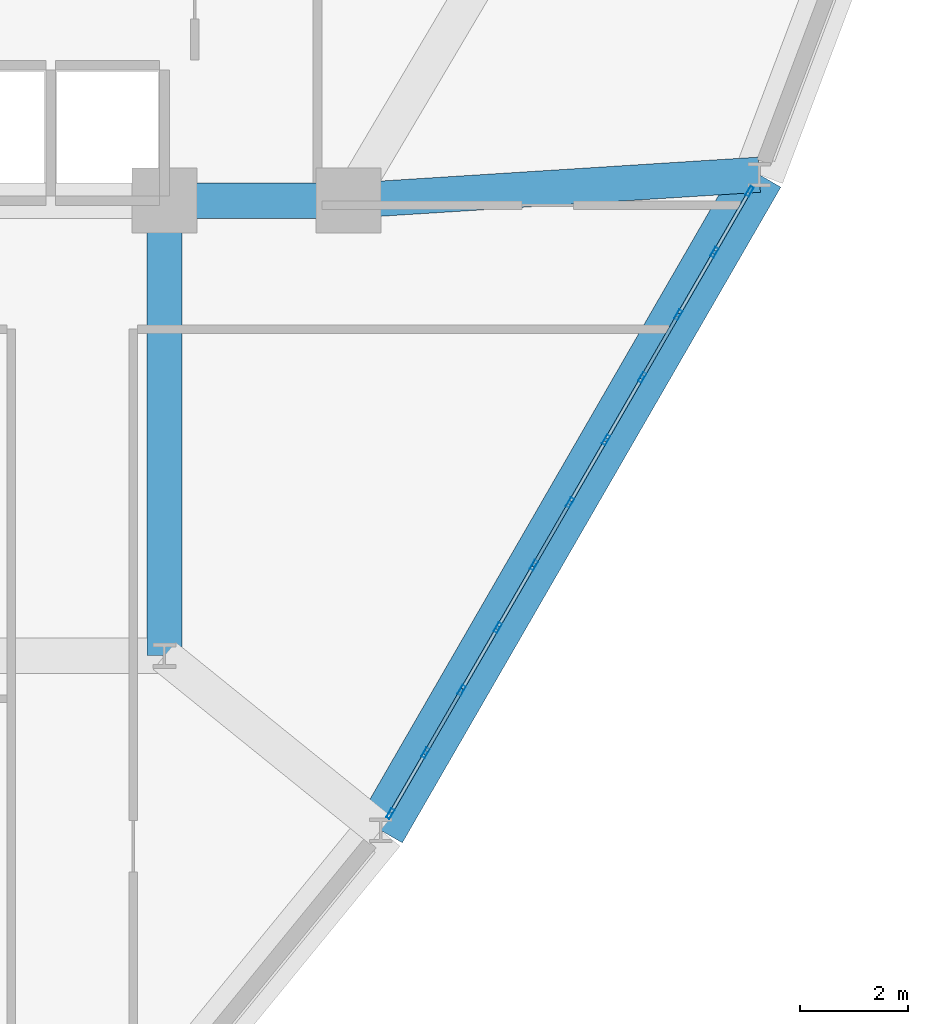
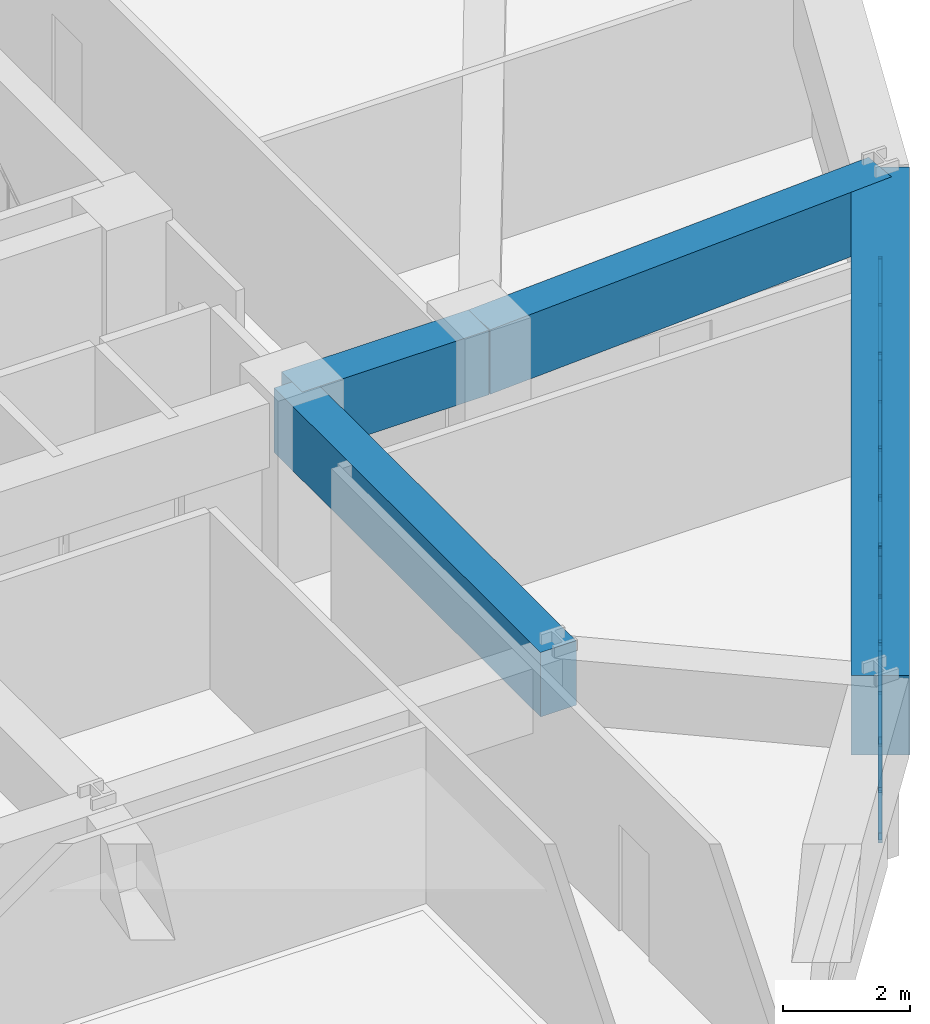
# One storey, part 6 of 15: 34 members, 4 beams, 1 element without a shape of its own.
"""IFC4 building model written with IfcOpenShell, lengths in metres."""

from ifc_helpers import new_model, si_unit, derived_unit, direction, frame, origin, origin_2d, place, context, subcontext, project, spatial, rectangle, hollow_rectangle, extrude, source, transform, mapped, material, layer, layer_set, material_profile, profile_set, type_object, element, aggregate, save


model = new_model("IFC4")

# Units and contexts
model_context = context("Model", 3, precision=1e-05, world=origin(), true_north=direction((0.0, 1.0)))
body_context = subcontext(model_context, "Body", "Model", "MODEL_VIEW")
ifc_project = project(units=[si_unit("LENGTHUNIT", "METRE"), si_unit("AREAUNIT", "SQUARE_METRE"), si_unit("VOLUMEUNIT", "CUBIC_METRE"), si_unit("PLANEANGLEUNIT", "RADIAN"), si_unit("MASSUNIT", "GRAM", prefix="KILO"), derived_unit("THERMALTRANSMITTANCEUNIT", [(si_unit("POWERUNIT", "WATT"), 1), (si_unit("LENGTHUNIT", "METRE"), -2), (si_unit("THERMODYNAMICTEMPERATUREUNIT", "KELVIN"), -1)])], contexts=[model_context])

# Site, building, storey
site_placement = place(None, origin())
site = spatial("IfcSite", under=ifc_project, at=site_placement, CompositionType="ELEMENT")
building_placement = place(site_placement, origin())
building = spatial("IfcBuilding", under=site, at=building_placement, Name="Korsvarv Bourse and Concert Hall", CompositionType="ELEMENT")
storey_placement = place(building_placement, frame((0.0, 0.0, 113.39990234375)))
storey = spatial("IfcBuildingStorey", under=building, at=storey_placement, Name="L28", CompositionType="ELEMENT", Elevation=113.39990234375)

# Beams
ifc_material_1 = material(Name="Concrete C50/60", Category="concrete")
ifc_material_profile_1 = material_profile(ifc_material_1, rectangle(XDim=0.64990234375, YDim=1.239990234375, at=origin_2d()), Name="RC-BM 650x1240")
ifc_profile_set_1 = profile_set([ifc_material_profile_1], Name="Concrete C50/60")
beam_type_1 = type_object("IfcBeamType", Name="BM-TR-SPN", PredefinedType="BEAM", material=ifc_profile_set_1)
shared_shape_1 = source(origin(), body_context, "Body", "SweptSolid", [
    extrude(rectangle(XDim=0.64990234375, YDim=1.239990234375, at=origin_2d()), origin(), (0.0, 0.0, 1.0), 3.400146484375),
])
beam_1_placement = place(storey_placement, frame((44.39990234375, 32.39990234375, 2.780029296875), z_axis=(1.0, 0.0, 0.0), x_axis=(0.0, 1.0, 0.0)))
element("IfcBeam", 1, at=beam_1_placement, inside=storey, type_object=beam_type_1, Name="L28 beam B-TRS", PredefinedType="BEAM", context=body_context, shape_type="MappedRepresentation", body=[
    mapped(shared_shape_1, transform((0.0, 0.0, 0.0), scale=1.0)),
])
shared_shape_2 = source(origin(), body_context, "Body", "SweptSolid", [
    extrude(rectangle(XDim=0.64990234375, YDim=1.239990234375, at=origin_2d()), origin(), (0.0, 0.0, 1.0), 8.39990234375),
])
beam_2_placement = place(storey_placement, frame((44.39990234375, 24.0, 2.780029296875), z_axis=(0.0, 1.0, 0.0), x_axis=(-1.0, 0.0, 0.0)))
element("IfcBeam", 2, at=beam_2_placement, inside=storey, type_object=beam_type_1, Name="L28 beam B-TRS", PredefinedType="BEAM", context=body_context, shape_type="MappedRepresentation", body=[
    mapped(shared_shape_2, transform((0.0, 0.0, 0.0), scale=1.0)),
])
ifc_material_profile_2 = material_profile(ifc_material_1, rectangle(XDim=0.919921875, YDim=1.530029296875, at=origin_2d()), Name="RC-BM 920x1530")
ifc_profile_set_2 = profile_set([ifc_material_profile_2], Name="Concrete C50/60")
beam_type_2 = type_object("IfcBeamType", Name="BM-TR-154", PredefinedType="BEAM", material=ifc_profile_set_2)
shared_shape_3 = source(origin(), body_context, "Body", "SweptSolid", [
    extrude(rectangle(XDim=0.919921875, YDim=1.530029296875, at=origin_2d()), origin(), (0.0, 0.0, 1.0), 13.97607421875),
])
beam_3_placement = place(storey_placement, frame((48.392822265625, 20.77587890625, 2.635009765625), z_axis=(0.500003708422, 0.866023262716, 0.0), x_axis=(-0.866023262716, 0.500003708422, 0.0)))
element("IfcBeam", 3, at=beam_3_placement, inside=storey, type_object=beam_type_2, Name="L28 beam B-TR6", PredefinedType="BEAM", context=body_context, shape_type="MappedRepresentation", body=[
    mapped(shared_shape_3, transform((0.0, 0.0, 0.0), scale=1.0)),
])
shared_shape_4 = source(origin(), body_context, "Body", "SweptSolid", [
    extrude(rectangle(XDim=0.64990234375, YDim=1.239990234375, at=origin_2d()), origin(), (0.0, 0.0, 1.0), 7.595947265625),
])
beam_4_placement = place(storey_placement, frame((55.380859375, 32.87939453125, 2.780029296875), z_axis=(-0.998005651397, -0.063124636867, 0.0), x_axis=(0.063124636867, -0.998005651397, 0.0)))
element("IfcBeam", 4, at=beam_4_placement, inside=storey, type_object=beam_type_1, Name="L28 beam B-TRS", PredefinedType="BEAM", context=body_context, shape_type="MappedRepresentation", body=[
    mapped(shared_shape_4, transform((0.0, 0.0, 0.0), scale=1.0)),
])

# Curtain wall, members
ifc_material_2 = material(Name="Anodised aluminium and triple low-E glazing", Category="glass")
ifc_layer = layer(ifc_material_2, 0.2099609375)
ifc_layer_set = layer_set([ifc_layer], Name="Anodised aluminium and triple low-E glazing")
curtain_wall_type = type_object("IfcCurtainWallType", Name="CW-SYS-2", PredefinedType="NOTDEFINED", material=ifc_layer_set)
curtain_wall_placement = place(storey_placement, origin())
curtain_wall = element("IfcCurtainWall", 5, at=curtain_wall_placement, inside=storey, type_object=curtain_wall_type, Name="L28 CW2 curtain wall CW-L28-F11", PredefinedType="NOTDEFINED")
ifc_material_3 = material(Name="Extruded aluminium EN AW-6063 T66", Category="aluminium")
ifc_material_profile_3 = material_profile(ifc_material_3, hollow_rectangle(XDim=0.070068359375, YDim=0.18994140625, WallThickness=0.0048828125, at=origin_2d()), Name="ALU-M 70x190")
ifc_profile_set_3 = profile_set([ifc_material_profile_3], Name="Extruded aluminium EN AW-6063 T66")
member_type_1 = type_object("IfcMemberType", Name="CWM-190", PredefinedType="MULLION", material=ifc_profile_set_3)
shared_shape_5 = source(origin(), body_context, "Body", "SweptSolid", [
    extrude(hollow_rectangle(XDim=0.070068359375, YDim=0.18994140625, WallThickness=0.0048828125, at=origin_2d()), origin(), (0.0, 0.0, 1.0), 1.8701171875),
])
member_1_placement = place(storey_placement, frame((48.570556640625, 21.083740234375, 0.0), z_axis=(0.0, 0.0, 1.0), x_axis=(-0.866021744853, 0.500006337402, 0.0)))
member_1 = element("IfcMember", 6, at=member_1_placement, type_object=member_type_1, Name="CW2 mullion 1", PredefinedType="MULLION", context=body_context, shape_type="MappedRepresentation", body=[
    mapped(shared_shape_5, transform((0.0, 0.0, 0.0), scale=1.0)),
])
member_2_placement = place(storey_placement, frame((49.2197265625, 22.208251953125, 0.0), z_axis=(0.0, 0.0, 1.0), x_axis=(-0.866021744853, 0.500006337402, 0.0)))
member_2 = element("IfcMember", 7, at=member_2_placement, type_object=member_type_1, Name="CW2 mullion 2", PredefinedType="MULLION", context=body_context, shape_type="MappedRepresentation", body=[
    mapped(shared_shape_5, transform((0.0, 0.0, 0.0), scale=1.0)),
])
member_3_placement = place(storey_placement, frame((49.886474609375, 23.363037109375, 0.0), z_axis=(0.0, 0.0, 1.0), x_axis=(-0.866021744853, 0.500006337402, 0.0)))
member_3 = element("IfcMember", 8, at=member_3_placement, type_object=member_type_1, Name="CW2 mullion 3", PredefinedType="MULLION", context=body_context, shape_type="MappedRepresentation", body=[
    mapped(shared_shape_5, transform((0.0, 0.0, 0.0), scale=1.0)),
])
member_4_placement = place(storey_placement, frame((50.55322265625, 24.51806640625, 0.0), z_axis=(0.0, 0.0, 1.0), x_axis=(-0.866021744853, 0.500006337402, 0.0)))
member_4 = element("IfcMember", 9, at=member_4_placement, type_object=member_type_1, Name="CW2 mullion 4", PredefinedType="MULLION", context=body_context, shape_type="MappedRepresentation", body=[
    mapped(shared_shape_5, transform((0.0, 0.0, 0.0), scale=1.0)),
])
member_5_placement = place(storey_placement, frame((51.219970703125, 25.6728515625, 0.0), z_axis=(0.0, 0.0, 1.0), x_axis=(-0.866021744853, 0.500006337402, 0.0)))
member_5 = element("IfcMember", 10, at=member_5_placement, type_object=member_type_1, Name="CW2 mullion 5", PredefinedType="MULLION", context=body_context, shape_type="MappedRepresentation", body=[
    mapped(shared_shape_5, transform((0.0, 0.0, 0.0), scale=1.0)),
])
member_6_placement = place(storey_placement, frame((51.886962890625, 26.82763671875, 0.0), z_axis=(0.0, 0.0, 1.0), x_axis=(-0.866021744853, 0.500006337402, 0.0)))
member_6 = element("IfcMember", 11, at=member_6_placement, type_object=member_type_1, Name="CW2 mullion 6", PredefinedType="MULLION", context=body_context, shape_type="MappedRepresentation", body=[
    mapped(shared_shape_5, transform((0.0, 0.0, 0.0), scale=1.0)),
])
member_7_placement = place(storey_placement, frame((52.5537109375, 27.982666015625, 0.0), z_axis=(0.0, 0.0, 1.0), x_axis=(-0.866021744853, 0.500006337402, 0.0)))
member_7 = element("IfcMember", 12, at=member_7_placement, type_object=member_type_1, Name="CW2 mullion 7", PredefinedType="MULLION", context=body_context, shape_type="MappedRepresentation", body=[
    mapped(shared_shape_5, transform((0.0, 0.0, 0.0), scale=1.0)),
])
member_8_placement = place(storey_placement, frame((53.220458984375, 29.137451171875, 0.0), z_axis=(0.0, 0.0, 1.0), x_axis=(-0.866021744853, 0.500006337402, 0.0)))
member_8 = element("IfcMember", 13, at=member_8_placement, type_object=member_type_1, Name="CW2 mullion 8", PredefinedType="MULLION", context=body_context, shape_type="MappedRepresentation", body=[
    mapped(shared_shape_5, transform((0.0, 0.0, 0.0), scale=1.0)),
])
member_9_placement = place(storey_placement, frame((53.88720703125, 30.292236328125, 0.0), z_axis=(0.0, 0.0, 1.0), x_axis=(-0.866021744853, 0.500006337402, 0.0)))
member_9 = element("IfcMember", 14, at=member_9_placement, type_object=member_type_1, Name="CW2 mullion 9", PredefinedType="MULLION", context=body_context, shape_type="MappedRepresentation", body=[
    mapped(shared_shape_5, transform((0.0, 0.0, 0.0), scale=1.0)),
])
member_10_placement = place(storey_placement, frame((54.553955078125, 31.447021484375, 0.0), z_axis=(0.0, 0.0, 1.0), x_axis=(-0.866021744853, 0.500006337402, 0.0)))
member_10 = element("IfcMember", 15, at=member_10_placement, type_object=member_type_1, Name="CW2 mullion 10", PredefinedType="MULLION", context=body_context, shape_type="MappedRepresentation", body=[
    mapped(shared_shape_5, transform((0.0, 0.0, 0.0), scale=1.0)),
])
member_11_placement = place(storey_placement, frame((55.203125, 32.57177734375, 0.0), z_axis=(0.0, 0.0, 1.0), x_axis=(-0.866021744853, 0.500006337402, 0.0)))
member_11 = element("IfcMember", 16, at=member_11_placement, type_object=member_type_1, Name="CW2 mullion 11", PredefinedType="MULLION", context=body_context, shape_type="MappedRepresentation", body=[
    mapped(shared_shape_5, transform((0.0, 0.0, 0.0), scale=1.0)),
])
ifc_material_profile_4 = material_profile(ifc_material_3, hollow_rectangle(XDim=0.06494140625, YDim=0.139892578125, WallThickness=0.00390625, at=origin_2d()), Name="ALU-T 65x140")
ifc_profile_set_4 = profile_set([ifc_material_profile_4], Name="Extruded aluminium EN AW-6063 T66")
member_type_2 = type_object("IfcMemberType", Name="CWT-140", PredefinedType="USERDEFINED", material=ifc_profile_set_4)
shared_shape_6 = source(origin(), body_context, "Body", "SweptSolid", [
    extrude(hollow_rectangle(XDim=0.06494140625, YDim=0.139892578125, WallThickness=0.00390625, at=origin_2d()), origin(), (0.0, 0.0, 1.0), 1.228271484375),
])
member_12_placement = place(storey_placement, frame((54.571533203125, 31.4775390625, 0.03271484375), z_axis=(0.500072277755, 0.865983670182, 0.0), x_axis=(-0.865983670182, 0.500072277755, 0.0)))
member_12 = element("IfcMember", 17, at=member_12_placement, type_object=member_type_2, Name="CW2 transom 10.1", ObjectType="TRANSOM", PredefinedType="USERDEFINED", context=body_context, shape_type="MappedRepresentation", body=[
    mapped(shared_shape_6, transform((0.0, 0.0, 0.0), scale=1.0)),
])
member_13_placement = place(storey_placement, frame((54.571533203125, 31.4775390625, 1.837646484375), z_axis=(0.500072277755, 0.865983670182, 0.0), x_axis=(-0.865983670182, 0.500072277755, 0.0)))
member_13 = element("IfcMember", 18, at=member_13_placement, type_object=member_type_2, Name="CW2 transom 10.2", ObjectType="TRANSOM", PredefinedType="USERDEFINED", context=body_context, shape_type="MappedRepresentation", body=[
    mapped(shared_shape_6, transform((0.0, 0.0, 0.0), scale=1.0)),
])
shared_shape_7 = source(origin(), body_context, "Body", "SweptSolid", [
    extrude(hollow_rectangle(XDim=0.06494140625, YDim=0.139892578125, WallThickness=0.00390625, at=origin_2d()), origin(), (0.0, 0.0, 1.0), 1.263671875),
])
member_14_placement = place(storey_placement, frame((49.2373046875, 22.238525390625, 0.03271484375), z_axis=(0.500045805297, 0.865998956469, 0.0), x_axis=(-0.865998956469, 0.500045805297, 0.0)))
member_14 = element("IfcMember", 19, at=member_14_placement, type_object=member_type_2, Name="CW2 transom 2.1", ObjectType="TRANSOM", PredefinedType="USERDEFINED", context=body_context, shape_type="MappedRepresentation", body=[
    mapped(shared_shape_7, transform((0.0, 0.0, 0.0), scale=1.0)),
])
member_15_placement = place(storey_placement, frame((49.2373046875, 22.238525390625, 1.837646484375), z_axis=(0.500045805297, 0.865998956469, 0.0), x_axis=(-0.865998956469, 0.500045805297, 0.0)))
member_15 = element("IfcMember", 20, at=member_15_placement, type_object=member_type_2, Name="CW2 transom 2.2", ObjectType="TRANSOM", PredefinedType="USERDEFINED", context=body_context, shape_type="MappedRepresentation", body=[
    mapped(shared_shape_7, transform((0.0, 0.0, 0.0), scale=1.0)),
])
member_16_placement = place(storey_placement, frame((49.904052734375, 23.393310546875, 0.03271484375), z_axis=(0.500045805297, 0.865998956469, 0.0), x_axis=(-0.865998956469, 0.500045805297, 0.0)))
member_16 = element("IfcMember", 21, at=member_16_placement, type_object=member_type_2, Name="CW2 transom 3.1", ObjectType="TRANSOM", PredefinedType="USERDEFINED", context=body_context, shape_type="MappedRepresentation", body=[
    mapped(shared_shape_7, transform((0.0, 0.0, 0.0), scale=1.0)),
])
member_17_placement = place(storey_placement, frame((49.904052734375, 23.393310546875, 1.837646484375), z_axis=(0.500045805297, 0.865998956469, 0.0), x_axis=(-0.865998956469, 0.500045805297, 0.0)))
member_17 = element("IfcMember", 22, at=member_17_placement, type_object=member_type_2, Name="CW2 transom 3.2", ObjectType="TRANSOM", PredefinedType="USERDEFINED", context=body_context, shape_type="MappedRepresentation", body=[
    mapped(shared_shape_7, transform((0.0, 0.0, 0.0), scale=1.0)),
])
member_18_placement = place(storey_placement, frame((50.57080078125, 24.54833984375, 0.03271484375), z_axis=(0.500045805297, 0.865998956469, 0.0), x_axis=(-0.865998956469, 0.500045805297, 0.0)))
member_18 = element("IfcMember", 23, at=member_18_placement, type_object=member_type_2, Name="CW2 transom 4.1", ObjectType="TRANSOM", PredefinedType="USERDEFINED", context=body_context, shape_type="MappedRepresentation", body=[
    mapped(shared_shape_7, transform((0.0, 0.0, 0.0), scale=1.0)),
])
member_19_placement = place(storey_placement, frame((50.57080078125, 24.54833984375, 1.837646484375), z_axis=(0.500045805297, 0.865998956469, 0.0), x_axis=(-0.865998956469, 0.500045805297, 0.0)))
member_19 = element("IfcMember", 24, at=member_19_placement, type_object=member_type_2, Name="CW2 transom 4.2", ObjectType="TRANSOM", PredefinedType="USERDEFINED", context=body_context, shape_type="MappedRepresentation", body=[
    mapped(shared_shape_7, transform((0.0, 0.0, 0.0), scale=1.0)),
])
member_20_placement = place(storey_placement, frame((51.237548828125, 25.703125, 0.03271484375), z_axis=(0.500045805297, 0.865998956469, 0.0), x_axis=(-0.865998956469, 0.500045805297, 0.0)))
member_20 = element("IfcMember", 25, at=member_20_placement, type_object=member_type_2, Name="CW2 transom 5.1", ObjectType="TRANSOM", PredefinedType="USERDEFINED", context=body_context, shape_type="MappedRepresentation", body=[
    mapped(shared_shape_7, transform((0.0, 0.0, 0.0), scale=1.0)),
])
member_21_placement = place(storey_placement, frame((51.237548828125, 25.703125, 1.837646484375), z_axis=(0.500045805297, 0.865998956469, 0.0), x_axis=(-0.865998956469, 0.500045805297, 0.0)))
member_21 = element("IfcMember", 26, at=member_21_placement, type_object=member_type_2, Name="CW2 transom 5.2", ObjectType="TRANSOM", PredefinedType="USERDEFINED", context=body_context, shape_type="MappedRepresentation", body=[
    mapped(shared_shape_7, transform((0.0, 0.0, 0.0), scale=1.0)),
])
member_22_placement = place(storey_placement, frame((51.904296875, 26.85791015625, 0.03271484375), z_axis=(0.500045805297, 0.865998956469, 0.0), x_axis=(-0.865998956469, 0.500045805297, 0.0)))
member_22 = element("IfcMember", 27, at=member_22_placement, type_object=member_type_2, Name="CW2 transom 6.1", ObjectType="TRANSOM", PredefinedType="USERDEFINED", context=body_context, shape_type="MappedRepresentation", body=[
    mapped(shared_shape_7, transform((0.0, 0.0, 0.0), scale=1.0)),
])
member_23_placement = place(storey_placement, frame((51.904296875, 26.85791015625, 1.837646484375), z_axis=(0.500045805297, 0.865998956469, 0.0), x_axis=(-0.865998956469, 0.500045805297, 0.0)))
member_23 = element("IfcMember", 28, at=member_23_placement, type_object=member_type_2, Name="CW2 transom 6.2", ObjectType="TRANSOM", PredefinedType="USERDEFINED", context=body_context, shape_type="MappedRepresentation", body=[
    mapped(shared_shape_7, transform((0.0, 0.0, 0.0), scale=1.0)),
])
member_24_placement = place(storey_placement, frame((52.571044921875, 28.012939453125, 0.03271484375), z_axis=(0.500045805297, 0.865998956469, 0.0), x_axis=(-0.865998956469, 0.500045805297, 0.0)))
member_24 = element("IfcMember", 29, at=member_24_placement, type_object=member_type_2, Name="CW2 transom 7.1", ObjectType="TRANSOM", PredefinedType="USERDEFINED", context=body_context, shape_type="MappedRepresentation", body=[
    mapped(shared_shape_7, transform((0.0, 0.0, 0.0), scale=1.0)),
])
member_25_placement = place(storey_placement, frame((52.571044921875, 28.012939453125, 1.837646484375), z_axis=(0.500045805297, 0.865998956469, 0.0), x_axis=(-0.865998956469, 0.500045805297, 0.0)))
member_25 = element("IfcMember", 30, at=member_25_placement, type_object=member_type_2, Name="CW2 transom 7.2", ObjectType="TRANSOM", PredefinedType="USERDEFINED", context=body_context, shape_type="MappedRepresentation", body=[
    mapped(shared_shape_7, transform((0.0, 0.0, 0.0), scale=1.0)),
])
member_26_placement = place(storey_placement, frame((53.23779296875, 29.167724609375, 0.03271484375), z_axis=(0.500045805297, 0.865998956469, 0.0), x_axis=(-0.865998956469, 0.500045805297, 0.0)))
member_26 = element("IfcMember", 31, at=member_26_placement, type_object=member_type_2, Name="CW2 transom 8.1", ObjectType="TRANSOM", PredefinedType="USERDEFINED", context=body_context, shape_type="MappedRepresentation", body=[
    mapped(shared_shape_7, transform((0.0, 0.0, 0.0), scale=1.0)),
])
member_27_placement = place(storey_placement, frame((53.23779296875, 29.167724609375, 1.837646484375), z_axis=(0.500045805297, 0.865998956469, 0.0), x_axis=(-0.865998956469, 0.500045805297, 0.0)))
member_27 = element("IfcMember", 32, at=member_27_placement, type_object=member_type_2, Name="CW2 transom 8.2", ObjectType="TRANSOM", PredefinedType="USERDEFINED", context=body_context, shape_type="MappedRepresentation", body=[
    mapped(shared_shape_7, transform((0.0, 0.0, 0.0), scale=1.0)),
])
member_28_placement = place(storey_placement, frame((53.904541015625, 30.322509765625, 0.03271484375), z_axis=(0.500045805297, 0.865998956469, 0.0), x_axis=(-0.865998956469, 0.500045805297, 0.0)))
member_28 = element("IfcMember", 33, at=member_28_placement, type_object=member_type_2, Name="CW2 transom 9.1", ObjectType="TRANSOM", PredefinedType="USERDEFINED", context=body_context, shape_type="MappedRepresentation", body=[
    mapped(shared_shape_7, transform((0.0, 0.0, 0.0), scale=1.0)),
])
member_29_placement = place(storey_placement, frame((53.904541015625, 30.322509765625, 1.837646484375), z_axis=(0.500045805297, 0.865998956469, 0.0), x_axis=(-0.865998956469, 0.500045805297, 0.0)))
member_29 = element("IfcMember", 34, at=member_29_placement, type_object=member_type_2, Name="CW2 transom 9.2", ObjectType="TRANSOM", PredefinedType="USERDEFINED", context=body_context, shape_type="MappedRepresentation", body=[
    mapped(shared_shape_7, transform((0.0, 0.0, 0.0), scale=1.0)),
])
ifc_material_profile_5 = material_profile(ifc_material_3, hollow_rectangle(XDim=0.06494140625, YDim=0.1650390625, WallThickness=0.0048828125, at=origin_2d()), Name="ALU-M 65x165")
ifc_profile_set_5 = profile_set([ifc_material_profile_5], Name="Extruded aluminium EN AW-6063 T66")
member_type_3 = type_object("IfcMemberType", Name="CWM-165", PredefinedType="MULLION", material=ifc_profile_set_5)
shared_shape_8 = source(origin(), body_context, "Body", "SweptSolid", [
    extrude(hollow_rectangle(XDim=0.06494140625, YDim=0.1650390625, WallThickness=0.0048828125, at=origin_2d()), origin(), (0.0, 0.0, 1.0), 2.150390625),
])
member_30_placement = place(storey_placement, frame((49.2373046875, 22.238525390625, 0.065185546875), z_axis=(0.293825059629, 0.508857773283, 0.809154250377), x_axis=(-0.865998956469, 0.500045805297, 0.0)))
member_30 = element("IfcMember", 35, at=member_30_placement, type_object=member_type_3, Name="CW2 diagonal mullion 2", PredefinedType="MULLION", context=body_context, shape_type="MappedRepresentation", body=[
    mapped(shared_shape_8, transform((0.0, 0.0, 0.0), scale=1.0)),
])
member_31_placement = place(storey_placement, frame((51.869384765625, 26.79736328125, 0.065185546875), z_axis=(-0.293825059629, -0.508857773283, 0.809154250377), x_axis=(0.865998956469, -0.500045805297, 0.0)))
member_31 = element("IfcMember", 36, at=member_31_placement, type_object=member_type_3, Name="CW2 diagonal mullion 5", PredefinedType="MULLION", context=body_context, shape_type="MappedRepresentation", body=[
    mapped(shared_shape_8, transform((0.0, 0.0, 0.0), scale=1.0)),
])
member_32_placement = place(storey_placement, frame((53.23779296875, 29.167724609375, 0.065185546875), z_axis=(0.293825059629, 0.508857773283, 0.809154250377), x_axis=(-0.865998956469, 0.500045805297, 0.0)))
member_32 = element("IfcMember", 37, at=member_32_placement, type_object=member_type_3, Name="CW2 diagonal mullion 8", PredefinedType="MULLION", context=body_context, shape_type="MappedRepresentation", body=[
    mapped(shared_shape_8, transform((0.0, 0.0, 0.0), scale=1.0)),
])
shared_shape_9 = source(origin(), body_context, "Body", "SweptSolid", [
    extrude(hollow_rectangle(XDim=0.06494140625, YDim=0.139892578125, WallThickness=0.00390625, at=origin_2d()), origin(), (0.0, 0.0, 1.0), 1.228515625),
])
member_33_placement = place(storey_placement, frame((48.587890625, 21.114013671875, 0.03271484375), z_axis=(0.499986217557, 0.866033360935, 0.0), x_axis=(-0.866033360935, 0.499986217557, 0.0)))
member_33 = element("IfcMember", 38, at=member_33_placement, type_object=member_type_2, Name="CW2 transom 1.1", ObjectType="TRANSOM", PredefinedType="USERDEFINED", context=body_context, shape_type="MappedRepresentation", body=[
    mapped(shared_shape_9, transform((0.0, 0.0, 0.0), scale=1.0)),
])
member_34_placement = place(storey_placement, frame((48.587890625, 21.114013671875, 1.837646484375), z_axis=(0.499986217557, 0.866033360935, 0.0), x_axis=(-0.866033360935, 0.499986217557, 0.0)))
member_34 = element("IfcMember", 39, at=member_34_placement, type_object=member_type_2, Name="CW2 transom 1.2", ObjectType="TRANSOM", PredefinedType="USERDEFINED", context=body_context, shape_type="MappedRepresentation", body=[
    mapped(shared_shape_9, transform((0.0, 0.0, 0.0), scale=1.0)),
])
aggregate(curtain_wall, [member_1, member_2, member_3, member_4, member_5, member_6, member_7, member_8, member_9, member_10, member_11, member_33, member_34, member_14, member_15, member_30, member_16, member_17, member_18, member_19, member_20, member_21, member_31, member_22, member_23, member_24, member_25, member_26, member_27, member_32, member_28, member_29, member_12, member_13])

save(model, "model.ifc")
